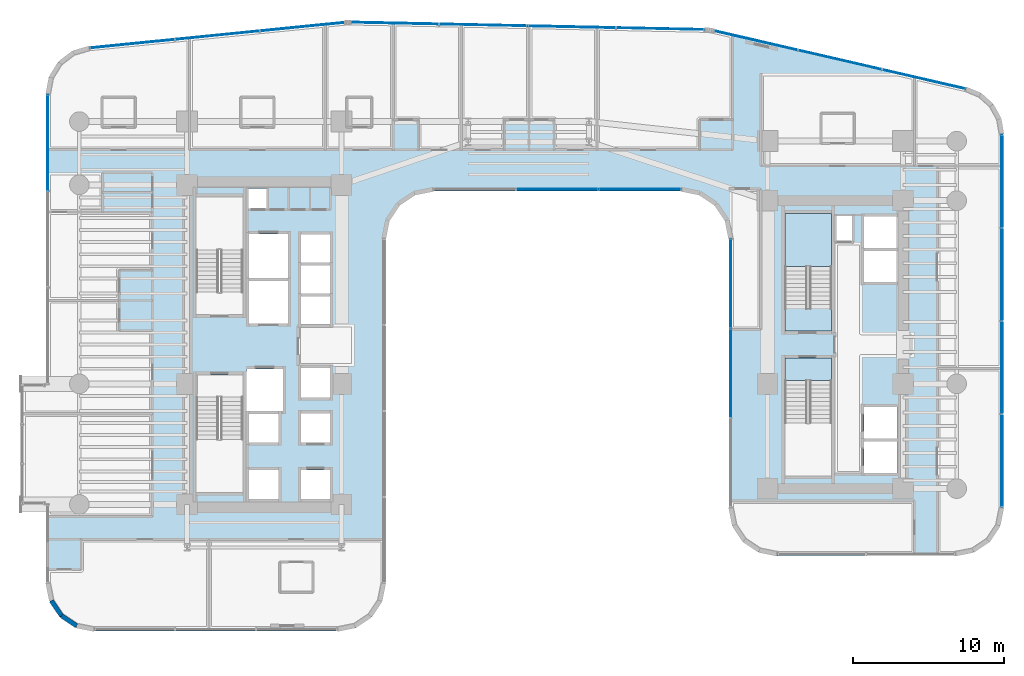
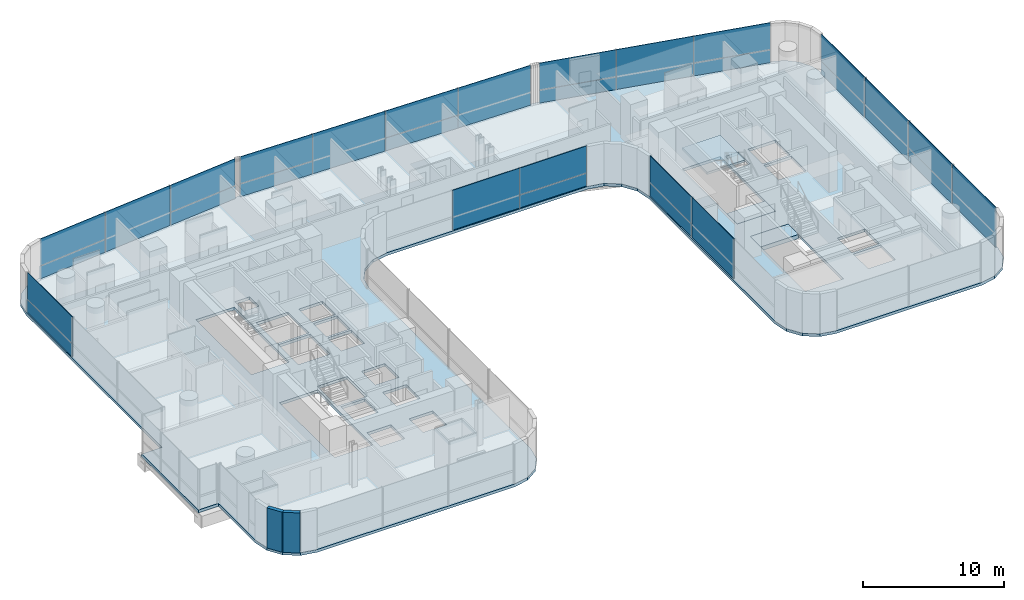
# One storey, part 29 of 40: 30 plates, 4 slabs, 2 walls, 8 elements without a shape of their own.
"""IFC4 building model written with IfcOpenShell, lengths in metres."""

import ifcopenshell
import ifcopenshell.guid

model = None  # the IFC model being written
_history = None  # IfcOwnerHistory: only IFC2X3 demands one
_inside = {}  # id of a spatial element -> (the spatial element, [elements in it])
_under = {}  # id of a project, library or spatial element -> (it, [spatial elements below it])
_declared = {}  # id of a project -> (the project, [libraries it declares])
_typed = {}  # id of a type object -> (the type object, [elements of that type])
_made_of = {}  # id of a material, layer set ... -> (it, [elements and type objects made of it])


def new_model(schema):
    """Start an empty IFC model of exactly this schema.

    Asked for "IFC4X3", IfcOpenShell would pick the latest addendum, in which some entities
    have other attributes; the version numbers below select the first issue.
    IFC2X3 requires an IfcOwnerHistory on every rooted entity: one is made here for all.
    """
    global model, _history
    if schema == "IFC4X3":
        model = ifcopenshell.file(schema_version=(4, 3, 0, 0))
    else:
        model = ifcopenshell.file(schema=schema)
    _inside.clear()
    _under.clear()
    _declared.clear()
    _typed.clear()
    _made_of.clear()
    _history = None
    if model.schema == "IFC2X3":
        org = make("IfcOrganization", Name="unknown")
        user = make(
            "IfcPersonAndOrganization",
            ThePerson=make("IfcPerson", FamilyName="unknown"),
            TheOrganization=org,
        )
        app = make(
            "IfcApplication",
            ApplicationDeveloper=org,
            Version="unknown",
            ApplicationFullName="unknown",
            ApplicationIdentifier="unknown",
        )
        _history = make(
            "IfcOwnerHistory",
            OwningUser=user,
            OwningApplication=app,
            ChangeAction="ADDED",
            CreationDate=0,
        )
    return model


def make(cls, **values):
    """One entity of the class cls with the attributes given. An attribute that is None is left unset."""
    return model.create_entity(
        cls, **{name: value for name, value in values.items() if value is not None}
    )


def rooted(cls, **values):
    """An entity with a GlobalId (a new one), such as an element, a storey or a relation."""
    return make(cls, GlobalId=ifcopenshell.guid.new(), OwnerHistory=_history, **values)


def si_unit(unit_type, name, prefix=None):
    """IfcSIUnit, for example si_unit("LENGTHUNIT", "METRE", prefix="MILLI")."""
    return make("IfcSIUnit", UnitType=unit_type, Prefix=prefix, Name=name)


def assignment(units):
    """IfcUnitAssignment: the units of a project."""
    return None if units is None else make("IfcUnitAssignment", Units=units)


def point(xyz):
    """IfcCartesianPoint."""
    return None if xyz is None else make("IfcCartesianPoint", Coordinates=xyz)


def direction(xyz):
    """IfcDirection."""
    return None if xyz is None else make("IfcDirection", DirectionRatios=xyz)


def frame(location, z_axis=None, x_axis=None):
    """IfcAxis2Placement3D, a coordinate frame: its origin and axes. An axis left out is left unset."""
    return make(
        "IfcAxis2Placement3D",
        Location=point(location),
        Axis=direction(z_axis),
        RefDirection=direction(x_axis),
    )


def frame_2d(location, x_axis=None):
    """IfcAxis2Placement2D, a coordinate frame in the plane: its origin and x axis."""
    return make(
        "IfcAxis2Placement2D", Location=point(location), RefDirection=direction(x_axis)
    )


def origin():
    """The frame at (0, 0, 0) with its axes left unset."""
    return frame((0.0, 0.0, 0.0))


def origin_2d():
    """The frame at (0, 0) in the plane with its x axis left unset."""
    return frame_2d((0.0, 0.0))


def place(relative_to, where):
    """IfcLocalPlacement: puts the frame where relative to a parent placement (None: the world)."""
    return make(
        "IfcLocalPlacement", PlacementRelTo=relative_to, RelativePlacement=where
    )


def context(
    kind, dimensions, precision=None, world=None, true_north=None, identifier=None
):
    """IfcGeometricRepresentationContext, for example the 3D "Model" context."""
    return make(
        "IfcGeometricRepresentationContext",
        ContextIdentifier=identifier,
        ContextType=kind,
        CoordinateSpaceDimension=dimensions,
        Precision=precision,
        WorldCoordinateSystem=world,
        TrueNorth=true_north,
    )


def subcontext(parent, identifier, kind, view, scale=None):
    """IfcGeometricRepresentationSubContext, for example "Body" below "Model"."""
    return make(
        "IfcGeometricRepresentationSubContext",
        ContextIdentifier=identifier,
        ContextType=kind,
        ParentContext=parent,
        TargetScale=scale,
        TargetView=view,
    )


def project(units=None, contexts=None):
    """IfcProject with its units and contexts."""
    return rooted(
        "IfcProject",
        Name="project",
        RepresentationContexts=contexts,
        UnitsInContext=assignment(units),
    )


def spatial(cls, under=None, at=None, **own):
    """A site, building, storey or space (cls), placed at a placement, below another one or the project."""
    s = rooted(cls, ObjectPlacement=at, **own)
    if under is not None:
        _under.setdefault(under.id(), (under, []))[1].append(s)
    return s


def polyline(points):
    """IfcPolyline through the points."""
    return make("IfcPolyline", Points=[point(p) for p in points])


def profile(cls, at=None, kind="AREA", **sizes):
    """A parametric profile (cls). Its sizes go by their IFC names, for example OverallWidth=200.0."""
    return make(cls, ProfileType=kind, Position=at, **sizes)


def rectangle(**sizes):
    """IfcRectangleProfileDef."""
    return profile("IfcRectangleProfileDef", **sizes)


def outline(outer, holes=None, kind="AREA"):
    """IfcArbitraryClosedProfileDef: a profile drawn as a closed curve; with holes, ...WithVoids."""
    if holes is None:
        return make("IfcArbitraryClosedProfileDef", ProfileType=kind, OuterCurve=outer)
    return make(
        "IfcArbitraryProfileDefWithVoids",
        ProfileType=kind,
        OuterCurve=outer,
        InnerCurves=holes,
    )


def extrude(swept, where, along, depth):
    """IfcExtrudedAreaSolid: the profile swept, set in the frame where, extruded along a direction by depth."""
    return make(
        "IfcExtrudedAreaSolid",
        SweptArea=swept,
        Position=where,
        ExtrudedDirection=direction(along),
        Depth=depth,
    )


def shape(context_of_items, identifier, shape_type, items):
    """IfcShapeRepresentation: the items that make up one representation, for example the "Body"."""
    return make(
        "IfcShapeRepresentation",
        ContextOfItems=context_of_items,
        RepresentationIdentifier=identifier,
        RepresentationType=shape_type,
        Items=items,
    )


def source(mapping_origin, context_of_items, identifier, shape_type, items):
    """IfcRepresentationMap: a shape defined once, which mapped items show again and again."""
    return make(
        "IfcRepresentationMap",
        MappingOrigin=mapping_origin,
        MappedRepresentation=shape(context_of_items, identifier, shape_type, items),
    )


def transform(
    local_origin,
    x_axis=None,
    y_axis=None,
    z_axis=None,
    scale=None,
    scale2=None,
    scale3=None,
    uniform=True,
):
    """IfcCartesianTransformationOperator3D, or its non-uniform kind. x_axis, y_axis, z_axis: its Axis1, 2, 3."""
    if uniform:
        return make(
            "IfcCartesianTransformationOperator3D",
            Axis1=direction(x_axis),
            Axis2=direction(y_axis),
            LocalOrigin=point(local_origin),
            Scale=scale,
            Axis3=direction(z_axis),
        )
    return make(
        "IfcCartesianTransformationOperator3DnonUniform",
        Axis1=direction(x_axis),
        Axis2=direction(y_axis),
        LocalOrigin=point(local_origin),
        Scale=scale,
        Axis3=direction(z_axis),
        Scale2=scale2,
        Scale3=scale3,
    )


def mapped(mapping_source, mapping_target):
    """IfcMappedItem: shows the shape of a source again, moved by a transform."""
    return make(
        "IfcMappedItem", MappingSource=mapping_source, MappingTarget=mapping_target
    )


def material(Name=None, Category=None):
    """IfcMaterial."""
    return make("IfcMaterial", Name=Name, Category=Category)


def layer(
    of_material, thickness, ventilated=None, Name=None, Category=None, Priority=None
):
    """IfcMaterialLayer: one layer of a wall or slab, of a material (None: an air gap)."""
    return make(
        "IfcMaterialLayer",
        Material=of_material,
        LayerThickness=thickness,
        IsVentilated=ventilated,
        Name=Name,
        Category=Category,
        Priority=Priority,
    )


def layer_set(layers, Name=None):
    """IfcMaterialLayerSet."""
    return make("IfcMaterialLayerSet", MaterialLayers=layers, LayerSetName=Name)


def made_of(thing, what):
    """Note that an element or type object is made of a material, layer set ...; save() writes the relation."""
    if what is not None:
        _made_of.setdefault(what.id(), (what, []))[1].append(thing)
    return thing


def type_object(cls, material=None, **own):
    """A type object (cls), such as IfcWallType, which elements share."""
    return made_of(rooted(cls, **own), material)


def element(
    cls,
    number,
    at=None,
    inside=None,
    cuts=None,
    type_object=None,
    material=None,
    context=None,
    identifier="Body",
    shape_type=None,
    held_by="IfcProductDefinitionShape",
    body=None,
    shapes=None,
    **own,
):
    """One element of the class cls, such as IfcWall. Its Tag is "e" and its number.

    at: its placement. inside: the storey or other place that contains it. cuts: it is an
    opening in that element (IfcRelVoidsElement). A single representation is given by context,
    identifier, shape_type and body (its items); several are given by shapes. held_by: the class
    of the entity that holds the representations. save() writes the other relations.
    """
    e = rooted(cls, Tag="e%d" % number, ObjectPlacement=at, **own)
    if body is not None:
        shapes = [shape(context, identifier, shape_type, body)]
    if shapes is not None:
        e.Representation = make(held_by, Representations=shapes)
    if inside is not None:
        _inside.setdefault(inside.id(), (inside, []))[1].append(e)
    if cuts is not None:
        rooted(
            "IfcRelVoidsElement", RelatingBuildingElement=cuts, RelatedOpeningElement=e
        )
    if type_object is not None:
        _typed.setdefault(type_object.id(), (type_object, []))[1].append(e)
    return made_of(e, material)


def aggregate(whole, parts):
    """IfcRelAggregates: a whole, such as a stair, and the parts it consists of."""
    return rooted("IfcRelAggregates", RelatingObject=whole, RelatedObjects=parts)


def save(model, path):
    """Write the relations noted so far, then the file.

    IfcRelAggregates (storeys below a building ...), IfcRelContainedInSpatialStructure (elements
    in a storey), IfcRelDefinesByType, IfcRelAssociatesMaterial and IfcRelDeclares: one each for
    every whole, place, type object, material and project.
    """
    for whole, parts in _under.values():
        aggregate(whole, parts)
    for where, things in _inside.values():
        rooted(
            "IfcRelContainedInSpatialStructure",
            RelatedElements=things,
            RelatingStructure=where,
        )
    for kind, things in _typed.values():
        rooted("IfcRelDefinesByType", RelatedObjects=things, RelatingType=kind)
    for what, things in _made_of.values():
        rooted("IfcRelAssociatesMaterial", RelatedObjects=things, RelatingMaterial=what)
    for by, libraries in _declared.values():
        rooted("IfcRelDeclares", RelatingContext=by, RelatedDefinitions=libraries)
    model.write(path)


model = new_model("IFC4")

# Units and contexts
model_context = context("Model", 3, precision=1e-05, world=origin(), true_north=direction((0.0, 1.0)))
body_context = subcontext(model_context, "Body", "Model", "MODEL_VIEW")
ifc_project = project(units=[si_unit("LENGTHUNIT", "METRE"), si_unit("AREAUNIT", "SQUARE_METRE"), si_unit("VOLUMEUNIT", "CUBIC_METRE"), si_unit("PLANEANGLEUNIT", "RADIAN"), si_unit("MASSUNIT", "GRAM", prefix="KILO")], contexts=[model_context])

# Site, building, storey
site_placement = place(None, origin())
site = spatial("IfcSite", under=ifc_project, at=site_placement, CompositionType="ELEMENT")
building_placement = place(site_placement, origin())
building = spatial("IfcBuilding", under=site, at=building_placement, Name="Valdorenza Pilgrim Sanctuary Tower", CompositionType="ELEMENT")
storey_placement = place(building_placement, frame((0.0, 0.0, 92.60009765625)))
storey = spatial("IfcBuildingStorey", under=building, at=storey_placement, Name="L23", CompositionType="ELEMENT", Elevation=92.60009765625)

# Slab
ifc_material_1 = material(Name="Concrete C40/50", Category="concrete")
ifc_layer_1 = layer(ifc_material_1, 0.239990234375, Name="Concrete C40/50")
ifc_layer_set_1 = layer_set([ifc_layer_1], Name="Concrete C40/50")
slab_type_1 = type_object("IfcSlabType", Name="SLAB-FLR-220", PredefinedType="FLOOR", material=ifc_layer_set_1)
slab_1_placement = place(storey_placement, frame((0.0, 0.0, -0.239990234375)))
element("IfcSlab", 1, at=slab_1_placement, inside=storey, type_object=slab_type_1, Name="L23 Structural Floor Slab 1", PredefinedType="FLOOR", context=body_context, shape_type="SweptSolid", body=[
    extrude(outline(polyline([(-33.64990234375, -2.60009765625), (-32.0, -2.60009765625), (-32.0, 16.60400390625), (-31.785888671875, 17.754638671875), (-31.172607421875, 18.751220703125), (-30.241943359375, 19.460693359375), (-29.118408203125, 19.7880859375), (-12.192138671875, 21.480712890625), (-11.999755859375, 21.494140625), (-11.806884765625, 21.49609375), (11.66943359375, 21.0068359375), (11.833984375, 20.999267578125), (11.997802734375, 20.983154296875), (12.160888671875, 20.95849609375), (12.322265625, 20.925537109375), (29.01953125, 17.072509765625), (30.00732421875, 16.660888671875), (30.80419921875, 15.946533203125), (31.321044921875, 15.009521484375), (31.5, 13.954345703125), (31.5, -10.800048828125), (31.25634765625, -12.024658203125), (30.562744140625, -13.062744140625), (29.524658203125, -13.75634765625), (28.300048828125, -14.0), (16.5, -14.0), (15.275390625, -13.75634765625), (14.2373046875, -13.062744140625), (13.543701171875, -12.024658203125), (13.300048828125, -10.800048828125), (13.300048828125, 7.0), (13.056396484375, 8.224609375), (12.36279296875, 9.2626953125), (11.32470703125, 9.956298828125), (10.10009765625, 10.199951171875), (-6.300048828125, 10.199951171875), (-7.524658203125, 9.956298828125), (-8.562744140625, 9.2626953125), (-9.25634765625, 8.224609375), (-9.5, 7.0), (-9.5, -15.800048828125), (-9.74365234375, -17.024658203125), (-10.437255859375, -18.062744140625), (-11.475341796875, -18.75634765625), (-12.699951171875, -19.0), (-28.800048828125, -19.0), (-30.024658203125, -18.75634765625), (-31.062744140625, -18.062744140625), (-31.75634765625, -17.024658203125), (-32.0, -15.800048828125), (-32.0, -10.60009765625), (-33.64990234375, -10.60009765625), (-33.64990234375, -2.60009765625)]), holes=[polyline([(-16.60009765625, -10.25), (-16.60009765625, -8.300048828125), (-18.550048828125, -8.300048828125), (-18.550048828125, -10.25), (-16.60009765625, -10.25)]), polyline([(-22.050048828125, -9.800048828125), (-18.93994140625, -9.800048828125), (-18.93994140625, -3.485107421875), (-18.93994140625, -2.0), (-22.050048828125, -2.0), (-22.050048828125, -3.485107421875), (-22.050048828125, -9.800048828125)]), polyline([(-18.550048828125, -6.5), (-16.60009765625, -6.5), (-16.60009765625, -4.60009765625), (-18.550048828125, -4.60009765625), (-18.550048828125, -6.5)]), polyline([(-13.179931640625, -6.5), (-13.179931640625, -4.550048828125), (-15.10009765625, -4.550048828125), (-15.10009765625, -6.5), (-13.179931640625, -6.5)]), polyline([(-18.719970703125, -4.39990234375), (-16.300048828125, -4.39990234375), (-16.300048828125, -1.60009765625), (-18.719970703125, -1.60009765625), (-18.719970703125, -4.39990234375)]), polyline([(-13.179931640625, -3.5), (-13.179931640625, -1.550048828125), (-15.10009765625, -1.550048828125), (-15.10009765625, -3.5), (-13.179931640625, -3.5)]), polyline([(-22.050048828125, 2.0), (-18.93994140625, 2.0), (-18.93994140625, 3.485107421875), (-18.93994140625, 9.800048828125), (-22.050048828125, 9.800048828125), (-22.050048828125, 3.485107421875), (-22.050048828125, 2.0)]), polyline([(-18.550048828125, 1.39990234375), (-15.949951171875, 1.39990234375), (-15.949951171875, 4.22509765625), (-18.550048828125, 4.22509765625), (-18.550048828125, 1.39990234375)]), polyline([(-15.949951171875, 4.425048828125), (-15.949951171875, 7.35009765625), (-18.550048828125, 7.35009765625), (-18.550048828125, 4.425048828125), (-15.949951171875, 4.425048828125)]), polyline([(-15.10009765625, 5.449951171875), (-13.179931640625, 5.449951171875), (-13.179931640625, 7.300048828125), (-15.10009765625, 7.300048828125), (-15.10009765625, 5.449951171875)]), polyline([(-17.360107421875, 9.030029296875), (-17.360107421875, 10.35009765625), (-18.570068359375, 10.35009765625), (-18.570068359375, 9.030029296875), (-17.360107421875, 9.030029296875)]), polyline([(-15.10009765625, -10.25), (-13.179931640625, -10.25), (-13.179931640625, -8.300048828125), (-15.10009765625, -8.300048828125), (-15.10009765625, -10.25)]), polyline([(22.25, -8.5), (24.47998046875, -8.5), (24.47998046875, -6.425048828125), (22.25, -6.425048828125), (22.25, -8.5)]), polyline([(17.0, -2.385009765625), (17.0, -8.699951171875), (20.110107421875, -8.699951171875), (20.110107421875, -2.385009765625), (20.110107421875, -0.89990234375), (17.0, -0.89990234375), (17.0, -2.385009765625)]), polyline([(22.25, -6.22509765625), (24.47998046875, -6.22509765625), (24.47998046875, -4.14990234375), (22.25, -4.14990234375), (22.25, -6.22509765625)]), polyline([(17.0, 0.89990234375), (20.110107421875, 0.89990234375), (20.110107421875, 2.385009765625), (20.110107421875, 8.699951171875), (17.0, 8.699951171875), (17.0, 2.385009765625), (17.0, 0.89990234375)]), polyline([(-15.10009765625, 1.35009765625), (-13.179931640625, 1.35009765625), (-13.179931640625, 3.199951171875), (-15.10009765625, 3.199951171875), (-15.10009765625, 1.35009765625)]), polyline([(-15.10009765625, 3.39990234375), (-13.179931640625, 3.39990234375), (-13.179931640625, 5.25), (-15.10009765625, 5.25), (-15.10009765625, 3.39990234375)]), polyline([(22.25, 4.14990234375), (24.47998046875, 4.14990234375), (24.47998046875, 6.22509765625), (22.25, 6.22509765625), (22.25, 4.14990234375)]), polyline([(22.25, 6.425048828125), (24.47998046875, 6.425048828125), (24.47998046875, 8.5), (22.25, 8.5), (22.25, 6.425048828125)]), polyline([(20.409912109375, 6.860107421875), (21.489990234375, 6.860107421875), (21.489990234375, 8.52001953125), (20.409912109375, 8.52001953125), (20.409912109375, 6.860107421875)])]), origin(), (0.0, 0.0, 1.0), 0.239990234375),
])

# Stair, slab
stair_type = type_object("IfcStairType", Name="STR-DOG-CORE", PredefinedType="HALF_TURN_STAIR", material=ifc_material_1)
stair_placement = place(storey_placement, origin())
stair = element("IfcStair", 2, at=stair_placement, inside=storey, type_object=stair_type, Name="L23 ST-B1", PredefinedType="HALF_TURN_STAIR")
ifc_layer_2 = layer(ifc_material_1, 0.199951171875, Name="Concrete C40/50")
ifc_layer_set_2 = layer_set([ifc_layer_2], Name="Concrete C40/50")
slab_type_2 = type_object("IfcSlabType", Name="SLAB-STL-200", PredefinedType="LANDING", material=ifc_layer_set_2)
slab_2_placement = place(storey_placement, frame((0.0, 0.0, 1.64990234375)))
slab_2 = element("IfcSlab", 3, at=slab_2_placement, type_object=slab_type_2, Name="ST-B1 landing 1", PredefinedType="LANDING", context=body_context, shape_type="SweptSolid", body=[
    extrude(outline(polyline([(20.110107421875, 5.179931640625), (20.110107421875, 8.699951171875), (17.0, 8.699951171875), (17.0, 5.179931640625), (20.110107421875, 5.179931640625)])), origin(), (0.0, 0.0, 1.0), 0.199951171875),
])
aggregate(stair, [slab_2])

# Slabs
ifc_material_2 = material(Name="Concrete C50/60", Category="concrete")
ifc_layer_3 = layer(ifc_material_2, 0.39990234375, Name="Concrete C50/60")
ifc_layer_set_3 = layer_set([ifc_layer_3], Name="Concrete C50/60")
slab_type_3 = type_object("IfcSlabType", Name="SLAB-TRF-400", PredefinedType="FLOOR", material=ifc_layer_set_3)
slab_3_placement = place(storey_placement, frame((0.0, 0.0, -0.360107421875)))
element("IfcSlab", 4, at=slab_3_placement, inside=storey, type_object=slab_type_3, Name="L23 ST-B1 Structural Stair Landing Bearing Slab", PredefinedType="FLOOR", context=body_context, shape_type="SweptSolid", body=[
    extrude(outline(polyline([(17.0, 0.89990234375), (20.110107421875, 0.89990234375), (20.110107421875, 2.385009765625), (17.0, 2.385009765625), (17.0, 0.89990234375)])), origin(), (0.0, 0.0, 1.0), 0.360107421875),
])
slab_4_placement = place(storey_placement, frame((0.0, 0.0, -0.360107421875)))
element("IfcSlab", 5, at=slab_4_placement, inside=storey, type_object=slab_type_3, Name="L23 ST-B2 Structural Stair Landing Bearing Slab", PredefinedType="FLOOR", context=body_context, shape_type="SweptSolid", body=[
    extrude(outline(polyline([(17.0, -2.385009765625), (20.110107421875, -2.385009765625), (20.110107421875, -0.89990234375), (17.0, -0.89990234375), (17.0, -2.385009765625)])), origin(), (0.0, 0.0, 1.0), 0.360107421875),
])

# Curtain wall, plates
ifc_material_3 = material(Name="Curtain-wall IGU glazing", Category="glass")
curtain_wall_type_1 = type_object("IfcCurtainWallType", Name="CW-SYS-02", PredefinedType="NOTDEFINED", material=ifc_material_3)
curtain_wall_1_placement = place(storey_placement, origin())
curtain_wall_1 = element("IfcCurtainWall", 6, at=curtain_wall_1_placement, inside=storey, type_object=curtain_wall_type_1, Name="L23 Curtain Wall CW-L23-1-1S2", PredefinedType="NOTDEFINED")
ifc_material_4 = material(Name="Honed travertine limestone", Category="masonry")
ifc_layer_4 = layer(ifc_material_4, 0.050048828125, Name="Honed travertine limestone")
ifc_layer_set_4 = layer_set([ifc_layer_4], Name="Honed travertine limestone")
plate_type_1 = type_object("IfcPlateType", Name="CW-SPN-TRV", PredefinedType="USERDEFINED", material=ifc_layer_set_4)
shared_shape_1 = source(origin(), body_context, "Body", "SweptSolid", [
    extrude(rectangle(XDim=6.3779296875, YDim=0.06005859375, at=origin_2d()), origin(), (0.0, 0.0, 1.0), 1.10009765625),
])
plate_1_placement = place(storey_placement, frame((-31.889892578125, 13.39501953125, 0.009765625), z_axis=(0.0, 0.0, 1.0), x_axis=(0.0, 1.0, 0.0)))
plate_1 = element("IfcPlate", 7, at=plate_1_placement, type_object=plate_type_1, Name="CW-L23-1-1S2 Travertine Spandrel 3", ObjectType="SPANDREL", PredefinedType="USERDEFINED", context=body_context, shape_type="MappedRepresentation", body=[
    mapped(shared_shape_1, transform((0.0, 0.0, 0.0), x_axis=(1.0, 0.0, 0.0), y_axis=(0.0, 1.0, 0.0), z_axis=(0.0, 0.0, 1.0), scale=1.0)),
])
ifc_material_5 = material(Name="Ceramic-fritted low-E IGU glazing", Category="glass")
ifc_layer_5 = layer(ifc_material_5, 0.035888671875, Name="Ceramic-fritted low-E IGU glazing")
ifc_layer_set_5 = layer_set([ifc_layer_5], Name="Ceramic-fritted low-E IGU glazing")
plate_type_2 = type_object("IfcPlateType", Name="CW-GLZ-IGU", PredefinedType="USERDEFINED", material=ifc_layer_set_5)
shared_shape_2 = source(origin(), body_context, "Body", "SweptSolid", [
    extrude(rectangle(XDim=6.3779296875, YDim=0.050048828125, at=origin_2d()), origin(), (0.0, 0.0, 1.0), 2.320068359375),
])
plate_2_placement = place(storey_placement, frame((-31.889892578125, 13.39501953125, 1.1298828125), z_axis=(0.0, 0.0, 1.0), x_axis=(0.0, 1.0, 0.0)))
plate_2 = element("IfcPlate", 8, at=plate_2_placement, type_object=plate_type_2, Name="CW-L23-1-1S2 Facade Panel 3", ObjectType="GLAZING", PredefinedType="USERDEFINED", context=body_context, shape_type="MappedRepresentation", body=[
    mapped(shared_shape_2, transform((0.0, 0.0, 0.0), x_axis=(1.0, 0.0, 0.0), y_axis=(0.0, 1.0, 0.0), z_axis=(0.0, 0.0, 1.0), scale=1.0)),
])
aggregate(curtain_wall_1, [plate_1, plate_2])

curtain_wall_2_placement = place(storey_placement, origin())
curtain_wall_2 = element("IfcCurtainWall", 9, at=curtain_wall_2_placement, inside=storey, type_object=curtain_wall_type_1, Name="L23 Curtain Wall CW-L23-1-6", PredefinedType="NOTDEFINED")
shared_shape_3 = source(origin(), body_context, "Body", "SweptSolid", [
    extrude(rectangle(XDim=5.646484375, YDim=0.06005859375, at=origin_2d()), origin(), (0.0, 0.0, 1.0), 1.10009765625),
])
plate_3_placement = place(storey_placement, frame((-26.2783203125, 19.961669921875, 0.009765625), z_axis=(0.0, 0.0, 1.0), x_axis=(0.995038220239, 0.099493418189, 0.0)))
plate_3 = element("IfcPlate", 10, at=plate_3_placement, type_object=plate_type_1, Name="CW-L23-1-6 Travertine Spandrel 1", ObjectType="SPANDREL", PredefinedType="USERDEFINED", context=body_context, shape_type="MappedRepresentation", body=[
    mapped(shared_shape_3, transform((0.0, 0.0, 0.0), x_axis=(1.0, 0.0, 0.0), y_axis=(0.0, 1.0, 0.0), z_axis=(0.0, 0.0, 1.0), scale=1.0)),
])
plate_4_placement = place(storey_placement, frame((-15.001220703125, 21.08935546875, 0.009765625), z_axis=(0.0, 0.0, 1.0), x_axis=(0.995038220239, 0.099493418189, 0.0)))
plate_4 = element("IfcPlate", 11, at=plate_4_placement, type_object=plate_type_1, Name="CW-L23-1-6 Travertine Spandrel 3", ObjectType="SPANDREL", PredefinedType="USERDEFINED", context=body_context, shape_type="MappedRepresentation", body=[
    mapped(shared_shape_3, transform((0.0, 0.0, 0.0), x_axis=(1.0, 0.0, 0.0), y_axis=(0.0, 1.0, 0.0), z_axis=(0.0, 0.0, 1.0), scale=1.0)),
])
shared_shape_4 = source(origin(), body_context, "Body", "SweptSolid", [
    extrude(rectangle(XDim=5.646484375, YDim=0.050048828125, at=origin_2d()), origin(), (0.0, 0.0, 1.0), 2.320068359375),
])
plate_5_placement = place(storey_placement, frame((-26.2783203125, 19.961669921875, 1.1298828125), z_axis=(0.0, 0.0, 1.0), x_axis=(0.995038220239, 0.099493418189, 0.0)))
plate_5 = element("IfcPlate", 12, at=plate_5_placement, type_object=plate_type_2, Name="CW-L23-1-6 Facade Panel 1", ObjectType="GLAZING", PredefinedType="USERDEFINED", context=body_context, shape_type="MappedRepresentation", body=[
    mapped(shared_shape_4, transform((0.0, 0.0, 0.0), x_axis=(1.0, 0.0, 0.0), y_axis=(0.0, 1.0, 0.0), z_axis=(0.0, 0.0, 1.0), scale=1.0)),
])
plate_6_placement = place(storey_placement, frame((-15.001220703125, 21.08935546875, 1.1298828125), z_axis=(0.0, 0.0, 1.0), x_axis=(0.995038220239, 0.099493418189, 0.0)))
plate_6 = element("IfcPlate", 13, at=plate_6_placement, type_object=plate_type_2, Name="CW-L23-1-6 Facade Panel 3", ObjectType="GLAZING", PredefinedType="USERDEFINED", context=body_context, shape_type="MappedRepresentation", body=[
    mapped(shared_shape_4, transform((0.0, 0.0, 0.0), x_axis=(1.0, 0.0, 0.0), y_axis=(0.0, 1.0, 0.0), z_axis=(0.0, 0.0, 1.0), scale=1.0)),
])
shared_shape_5 = source(origin(), body_context, "Body", "SweptSolid", [
    extrude(rectangle(XDim=5.646484375, YDim=0.050048828125, at=origin_2d()), origin(), (0.0, 0.0, 1.0), 3.43994140625),
])
plate_7_placement = place(storey_placement, frame((-20.6396484375, 20.525634765625, 0.010009765625), z_axis=(0.0, 0.0, 1.0), x_axis=(0.995038220239, 0.099493418189, 0.0)))
plate_7 = element("IfcPlate", 14, at=plate_7_placement, type_object=plate_type_2, Name="CW-L23-1-6 Full-Height Facade Panel 2", ObjectType="GLAZING", PredefinedType="USERDEFINED", context=body_context, shape_type="MappedRepresentation", body=[
    mapped(shared_shape_5, transform((0.0, 0.0, 0.0), x_axis=(1.0, 0.0, 0.0), y_axis=(0.0, 1.0, 0.0), z_axis=(0.0, 0.0, 1.0), scale=1.0)),
])
aggregate(curtain_wall_2, [plate_3, plate_5, plate_7, plate_4, plate_6])

curtain_wall_3_placement = place(storey_placement, origin())
curtain_wall_3 = element("IfcCurtainWall", 15, at=curtain_wall_3_placement, inside=storey, type_object=curtain_wall_type_1, Name="L23 Curtain Wall CW-L23-1-11", PredefinedType="NOTDEFINED")
shared_shape_6 = source(origin(), body_context, "Body", "SweptSolid", [
    extrude(rectangle(XDim=5.849853515625, YDim=0.06005859375, at=origin_2d()), origin(), (0.0, 0.0, 1.0), 1.10009765625),
])
plate_8_placement = place(storey_placement, frame((-8.8740234375, 21.324951171875, 0.009765625), z_axis=(0.0, 0.0, 1.0), x_axis=(0.999783234613, -0.020820273474, 0.0)))
plate_8 = element("IfcPlate", 16, at=plate_8_placement, type_object=plate_type_1, Name="CW-L23-1-11 Travertine Spandrel 1", ObjectType="SPANDREL", PredefinedType="USERDEFINED", context=body_context, shape_type="MappedRepresentation", body=[
    mapped(shared_shape_6, transform((0.0, 0.0, 0.0), x_axis=(1.0, 0.0, 0.0), y_axis=(0.0, 1.0, 0.0), z_axis=(0.0, 0.0, 1.0), scale=1.0)),
])
plate_9_placement = place(storey_placement, frame((2.86279296875, 21.080322265625, 0.009765625), z_axis=(0.0, 0.0, 1.0), x_axis=(0.999783234613, -0.020820273474, 0.0)))
plate_9 = element("IfcPlate", 17, at=plate_9_placement, type_object=plate_type_1, Name="CW-L23-1-11 Travertine Spandrel 3", ObjectType="SPANDREL", PredefinedType="USERDEFINED", context=body_context, shape_type="MappedRepresentation", body=[
    mapped(shared_shape_6, transform((0.0, 0.0, 0.0), x_axis=(1.0, 0.0, 0.0), y_axis=(0.0, 1.0, 0.0), z_axis=(0.0, 0.0, 1.0), scale=1.0)),
])
shared_shape_7 = source(origin(), body_context, "Body", "SweptSolid", [
    extrude(rectangle(XDim=5.849853515625, YDim=0.050048828125, at=origin_2d()), origin(), (0.0, 0.0, 1.0), 2.320068359375),
])
plate_10_placement = place(storey_placement, frame((-8.8740234375, 21.324951171875, 1.1298828125), z_axis=(0.0, 0.0, 1.0), x_axis=(0.999783234613, -0.020820273474, 0.0)))
plate_10 = element("IfcPlate", 18, at=plate_10_placement, type_object=plate_type_2, Name="CW-L23-1-11 Facade Panel 1", ObjectType="GLAZING", PredefinedType="USERDEFINED", context=body_context, shape_type="MappedRepresentation", body=[
    mapped(shared_shape_7, transform((0.0, 0.0, 0.0), x_axis=(1.0, 0.0, 0.0), y_axis=(0.0, 1.0, 0.0), z_axis=(0.0, 0.0, 1.0), scale=1.0)),
])
plate_11_placement = place(storey_placement, frame((2.86279296875, 21.080322265625, 1.1298828125), z_axis=(0.0, 0.0, 1.0), x_axis=(0.999783234613, -0.020820273474, 0.0)))
plate_11 = element("IfcPlate", 19, at=plate_11_placement, type_object=plate_type_2, Name="CW-L23-1-11 Facade Panel 3", ObjectType="GLAZING", PredefinedType="USERDEFINED", context=body_context, shape_type="MappedRepresentation", body=[
    mapped(shared_shape_7, transform((0.0, 0.0, 0.0), x_axis=(1.0, 0.0, 0.0), y_axis=(0.0, 1.0, 0.0), z_axis=(0.0, 0.0, 1.0), scale=1.0)),
])
shared_shape_8 = source(origin(), body_context, "Body", "SweptSolid", [
    extrude(rectangle(XDim=5.849853515625, YDim=0.050048828125, at=origin_2d()), origin(), (0.0, 0.0, 1.0), 3.43994140625),
])
plate_12_placement = place(storey_placement, frame((-3.005615234375, 21.20263671875, 0.010009765625), z_axis=(0.0, 0.0, 1.0), x_axis=(0.999783234613, -0.020820273474, 0.0)))
plate_12 = element("IfcPlate", 20, at=plate_12_placement, type_object=plate_type_2, Name="CW-L23-1-11 Full-Height Facade Panel 2", ObjectType="GLAZING", PredefinedType="USERDEFINED", context=body_context, shape_type="MappedRepresentation", body=[
    mapped(shared_shape_8, transform((0.0, 0.0, 0.0), x_axis=(1.0, 0.0, 0.0), y_axis=(0.0, 1.0, 0.0), z_axis=(0.0, 0.0, 1.0), scale=1.0)),
])
plate_13_placement = place(storey_placement, frame((8.7314453125, 20.9580078125, 0.010009765625), z_axis=(0.0, 0.0, 1.0), x_axis=(0.999783234613, -0.020820273474, 0.0)))
plate_13 = element("IfcPlate", 21, at=plate_13_placement, type_object=plate_type_2, Name="CW-L23-1-11 Full-Height Facade Panel 4", ObjectType="GLAZING", PredefinedType="USERDEFINED", context=body_context, shape_type="MappedRepresentation", body=[
    mapped(shared_shape_8, transform((0.0, 0.0, 0.0), x_axis=(1.0, 0.0, 0.0), y_axis=(0.0, 1.0, 0.0), z_axis=(0.0, 0.0, 1.0), scale=1.0)),
])
aggregate(curtain_wall_3, [plate_8, plate_10, plate_12, plate_9, plate_11, plate_13])

curtain_wall_type_2 = type_object("IfcCurtainWallType", Name="CW-SYS-03", PredefinedType="NOTDEFINED", material=ifc_material_3)
curtain_wall_4_placement = place(storey_placement, origin())
curtain_wall_4 = element("IfcCurtainWall", 22, at=curtain_wall_4_placement, inside=storey, type_object=curtain_wall_type_2, Name="L23 Curtain Wall CW-L23-1-16", PredefinedType="NOTDEFINED")
shared_shape_9 = source(origin(), body_context, "Body", "SweptSolid", [
    extrude(rectangle(XDim=5.6884765625, YDim=0.06005859375, at=origin_2d()), origin(), (0.0, 0.0, 1.0), 1.10009765625),
])
plate_14_placement = place(storey_placement, frame((15.080078125, 20.17626953125, 0.009765625), z_axis=(0.0, 0.0, 1.0), x_axis=(0.974389691758, -0.224866023659, 0.0)))
plate_14 = element("IfcPlate", 23, at=plate_14_placement, type_object=plate_type_1, Name="CW-L23-1-16 Travertine Spandrel 1", ObjectType="SPANDREL", PredefinedType="USERDEFINED", context=body_context, shape_type="MappedRepresentation", body=[
    mapped(shared_shape_9, transform((0.0, 0.0, 0.0), x_axis=(1.0, 0.0, 0.0), y_axis=(0.0, 1.0, 0.0), z_axis=(0.0, 0.0, 1.0), scale=1.0)),
])
plate_15_placement = place(storey_placement, frame((26.20458984375, 17.609130859375, 0.009765625), z_axis=(0.0, 0.0, 1.0), x_axis=(0.974389691758, -0.224866023659, 0.0)))
plate_15 = element("IfcPlate", 24, at=plate_15_placement, type_object=plate_type_1, Name="CW-L23-1-16 Travertine Spandrel 3", ObjectType="SPANDREL", PredefinedType="USERDEFINED", context=body_context, shape_type="MappedRepresentation", body=[
    mapped(shared_shape_9, transform((0.0, 0.0, 0.0), x_axis=(1.0, 0.0, 0.0), y_axis=(0.0, 1.0, 0.0), z_axis=(0.0, 0.0, 1.0), scale=1.0)),
])
shared_shape_10 = source(origin(), body_context, "Body", "SweptSolid", [
    extrude(rectangle(XDim=5.6884765625, YDim=0.050048828125, at=origin_2d()), origin(), (0.0, 0.0, 1.0), 2.320068359375),
])
plate_16_placement = place(storey_placement, frame((15.080078125, 20.17626953125, 1.1298828125), z_axis=(0.0, 0.0, 1.0), x_axis=(0.974389691758, -0.224866023659, 0.0)))
plate_16 = element("IfcPlate", 25, at=plate_16_placement, type_object=plate_type_2, Name="CW-L23-1-16 Facade Panel 1", ObjectType="GLAZING", PredefinedType="USERDEFINED", context=body_context, shape_type="MappedRepresentation", body=[
    mapped(shared_shape_10, transform((0.0, 0.0, 0.0), x_axis=(1.0, 0.0, 0.0), y_axis=(0.0, 1.0, 0.0), z_axis=(0.0, 0.0, 1.0), scale=1.0)),
])
plate_17_placement = place(storey_placement, frame((26.20458984375, 17.609130859375, 1.1298828125), z_axis=(0.0, 0.0, 1.0), x_axis=(0.974389691758, -0.224866023659, 0.0)))
plate_17 = element("IfcPlate", 26, at=plate_17_placement, type_object=plate_type_2, Name="CW-L23-1-16 Facade Panel 3", ObjectType="GLAZING", PredefinedType="USERDEFINED", context=body_context, shape_type="MappedRepresentation", body=[
    mapped(shared_shape_10, transform((0.0, 0.0, 0.0), x_axis=(1.0, 0.0, 0.0), y_axis=(0.0, 1.0, 0.0), z_axis=(0.0, 0.0, 1.0), scale=1.0)),
])
shared_shape_11 = source(origin(), body_context, "Body", "SweptSolid", [
    extrude(rectangle(XDim=5.6884765625, YDim=0.050048828125, at=origin_2d()), origin(), (0.0, 0.0, 1.0), 3.43994140625),
])
plate_18_placement = place(storey_placement, frame((20.642333984375, 18.892578125, 0.010009765625), z_axis=(0.0, 0.0, 1.0), x_axis=(0.974389691758, -0.224866023659, 0.0)))
plate_18 = element("IfcPlate", 27, at=plate_18_placement, type_object=plate_type_2, Name="CW-L23-1-16 Full-Height Facade Panel 2", ObjectType="GLAZING", PredefinedType="USERDEFINED", context=body_context, shape_type="MappedRepresentation", body=[
    mapped(shared_shape_11, transform((0.0, 0.0, 0.0), x_axis=(1.0, 0.0, 0.0), y_axis=(0.0, 1.0, 0.0), z_axis=(0.0, 0.0, 1.0), scale=1.0)),
])
aggregate(curtain_wall_4, [plate_14, plate_16, plate_18, plate_15, plate_17])

curtain_wall_5_placement = place(storey_placement, origin())
curtain_wall_5 = element("IfcCurtainWall", 28, at=curtain_wall_5_placement, inside=storey, type_object=curtain_wall_type_2, Name="L23 Curtain Wall CW-L23-1-21", PredefinedType="NOTDEFINED")
shared_shape_12 = source(origin(), body_context, "Body", "SweptSolid", [
    extrude(rectangle(XDim=6.16357421875, YDim=0.06005859375, at=origin_2d()), origin(), (0.0, 0.0, 1.0), 1.10009765625),
])
plate_19_placement = place(storey_placement, frame((31.389892578125, 10.853271484375, 0.009765625), z_axis=(0.0, 0.0, 1.0), x_axis=(0.0, -1.0, 0.0)))
plate_19 = element("IfcPlate", 29, at=plate_19_placement, type_object=plate_type_1, Name="CW-L23-1-21 Travertine Spandrel 1", ObjectType="SPANDREL", PredefinedType="USERDEFINED", context=body_context, shape_type="MappedRepresentation", body=[
    mapped(shared_shape_12, transform((0.0, 0.0, 0.0), x_axis=(1.0, 0.0, 0.0), y_axis=(0.0, 1.0, 0.0), z_axis=(0.0, 0.0, 1.0), scale=1.0)),
])
plate_20_placement = place(storey_placement, frame((31.389892578125, -1.513916015625, 0.009765625), z_axis=(0.0, 0.0, 1.0), x_axis=(0.0, -1.0, 0.0)))
plate_20 = element("IfcPlate", 30, at=plate_20_placement, type_object=plate_type_1, Name="CW-L23-1-21 Travertine Spandrel 3", ObjectType="SPANDREL", PredefinedType="USERDEFINED", context=body_context, shape_type="MappedRepresentation", body=[
    mapped(shared_shape_12, transform((0.0, 0.0, 0.0), x_axis=(1.0, 0.0, 0.0), y_axis=(0.0, 1.0, 0.0), z_axis=(0.0, 0.0, 1.0), scale=1.0)),
])
shared_shape_13 = source(origin(), body_context, "Body", "SweptSolid", [
    extrude(rectangle(XDim=6.16357421875, YDim=0.050048828125, at=origin_2d()), origin(), (0.0, 0.0, 1.0), 2.320068359375),
])
plate_21_placement = place(storey_placement, frame((31.389892578125, 10.853271484375, 1.1298828125), z_axis=(0.0, 0.0, 1.0), x_axis=(0.0, -1.0, 0.0)))
plate_21 = element("IfcPlate", 31, at=plate_21_placement, type_object=plate_type_2, Name="CW-L23-1-21 Facade Panel 1", ObjectType="GLAZING", PredefinedType="USERDEFINED", context=body_context, shape_type="MappedRepresentation", body=[
    mapped(shared_shape_13, transform((0.0, 0.0, 0.0), x_axis=(1.0, 0.0, 0.0), y_axis=(0.0, 1.0, 0.0), z_axis=(0.0, 0.0, 1.0), scale=1.0)),
])
plate_22_placement = place(storey_placement, frame((31.389892578125, -1.513916015625, 1.1298828125), z_axis=(0.0, 0.0, 1.0), x_axis=(0.0, -1.0, 0.0)))
plate_22 = element("IfcPlate", 32, at=plate_22_placement, type_object=plate_type_2, Name="CW-L23-1-21 Facade Panel 3", ObjectType="GLAZING", PredefinedType="USERDEFINED", context=body_context, shape_type="MappedRepresentation", body=[
    mapped(shared_shape_13, transform((0.0, 0.0, 0.0), x_axis=(1.0, 0.0, 0.0), y_axis=(0.0, 1.0, 0.0), z_axis=(0.0, 0.0, 1.0), scale=1.0)),
])
shared_shape_14 = source(origin(), body_context, "Body", "SweptSolid", [
    extrude(rectangle(XDim=6.16357421875, YDim=0.050048828125, at=origin_2d()), origin(), (0.0, 0.0, 1.0), 3.43994140625),
])
plate_23_placement = place(storey_placement, frame((31.389892578125, 4.669677734375, 0.010009765625), z_axis=(0.0, 0.0, 1.0), x_axis=(0.0, -1.0, 0.0)))
plate_23 = element("IfcPlate", 33, at=plate_23_placement, type_object=plate_type_2, Name="CW-L23-1-21 Full-Height Facade Panel 2", ObjectType="GLAZING", PredefinedType="USERDEFINED", context=body_context, shape_type="MappedRepresentation", body=[
    mapped(shared_shape_14, transform((0.0, 0.0, 0.0), x_axis=(1.0, 0.0, 0.0), y_axis=(0.0, 1.0, 0.0), z_axis=(0.0, 0.0, 1.0), scale=1.0)),
])
plate_24_placement = place(storey_placement, frame((31.389892578125, -7.697509765625, 0.010009765625), z_axis=(0.0, 0.0, 1.0), x_axis=(0.0, -1.0, 0.0)))
plate_24 = element("IfcPlate", 34, at=plate_24_placement, type_object=plate_type_2, Name="CW-L23-1-21 Full-Height Facade Panel 4", ObjectType="GLAZING", PredefinedType="USERDEFINED", context=body_context, shape_type="MappedRepresentation", body=[
    mapped(shared_shape_14, transform((0.0, 0.0, 0.0), x_axis=(1.0, 0.0, 0.0), y_axis=(0.0, 1.0, 0.0), z_axis=(0.0, 0.0, 1.0), scale=1.0)),
])
aggregate(curtain_wall_5, [plate_19, plate_21, plate_23, plate_20, plate_22, plate_24])

curtain_wall_6_placement = place(storey_placement, origin())
curtain_wall_6 = element("IfcCurtainWall", 35, at=curtain_wall_6_placement, inside=storey, type_object=curtain_wall_type_2, Name="L23 Curtain Wall CW-L23-1-31", PredefinedType="NOTDEFINED")
shared_shape_15 = source(origin(), body_context, "Body", "SweptSolid", [
    extrude(rectangle(XDim=5.913330078125, YDim=0.06005859375, at=origin_2d()), origin(), (0.0, 0.0, 1.0), 1.10009765625),
])
plate_25_placement = place(storey_placement, frame((13.409912109375, 4.044189453125, 0.009765625), z_axis=(0.0, 0.0, 1.0), x_axis=(0.0, 1.0, 0.0)))
plate_25 = element("IfcPlate", 36, at=plate_25_placement, type_object=plate_type_1, Name="CW-L23-1-31 Travertine Spandrel 3", ObjectType="SPANDREL", PredefinedType="USERDEFINED", context=body_context, shape_type="MappedRepresentation", body=[
    mapped(shared_shape_15, transform((0.0, 0.0, 0.0), x_axis=(1.0, 0.0, 0.0), y_axis=(0.0, 1.0, 0.0), z_axis=(0.0, 0.0, 1.0), scale=1.0)),
])
shared_shape_16 = source(origin(), body_context, "Body", "SweptSolid", [
    extrude(rectangle(XDim=5.913330078125, YDim=0.050048828125, at=origin_2d()), origin(), (0.0, 0.0, 1.0), 2.320068359375),
])
plate_26_placement = place(storey_placement, frame((13.409912109375, 4.044189453125, 1.1298828125), z_axis=(0.0, 0.0, 1.0), x_axis=(0.0, 1.0, 0.0)))
plate_26 = element("IfcPlate", 37, at=plate_26_placement, type_object=plate_type_2, Name="CW-L23-1-31 Facade Panel 3", ObjectType="GLAZING", PredefinedType="USERDEFINED", context=body_context, shape_type="MappedRepresentation", body=[
    mapped(shared_shape_16, transform((0.0, 0.0, 0.0), x_axis=(1.0, 0.0, 0.0), y_axis=(0.0, 1.0, 0.0), z_axis=(0.0, 0.0, 1.0), scale=1.0)),
])
shared_shape_17 = source(origin(), body_context, "Body", "SweptSolid", [
    extrude(rectangle(XDim=5.913330078125, YDim=0.050048828125, at=origin_2d()), origin(), (0.0, 0.0, 1.0), 3.43994140625),
])
plate_27_placement = place(storey_placement, frame((13.409912109375, -1.88916015625, 0.010009765625), z_axis=(0.0, 0.0, 1.0), x_axis=(0.0, 1.0, 0.0)))
plate_27 = element("IfcPlate", 38, at=plate_27_placement, type_object=plate_type_2, Name="CW-L23-1-31 Full-Height Facade Panel 2", ObjectType="GLAZING", PredefinedType="USERDEFINED", context=body_context, shape_type="MappedRepresentation", body=[
    mapped(shared_shape_17, transform((0.0, 0.0, 0.0), x_axis=(1.0, 0.0, 0.0), y_axis=(0.0, 1.0, 0.0), z_axis=(0.0, 0.0, 1.0), scale=1.0)),
])
aggregate(curtain_wall_6, [plate_27, plate_25, plate_26])

curtain_wall_7_placement = place(storey_placement, origin())
curtain_wall_7 = element("IfcCurtainWall", 39, at=curtain_wall_7_placement, inside=storey, type_object=curtain_wall_type_1, Name="L23 Curtain Wall CW-L23-1-36", PredefinedType="NOTDEFINED")
shared_shape_18 = source(origin(), body_context, "Body", "SweptSolid", [
    extrude(rectangle(XDim=5.453857421875, YDim=0.06005859375, at=origin_2d()), origin(), (0.0, 0.0, 1.0), 1.10009765625),
])
plate_28_placement = place(storey_placement, frame((7.373779296875, 10.31005859375, 0.009765625), z_axis=(0.0, 0.0, 1.0), x_axis=(-1.0, 0.0, 0.0)))
plate_28 = element("IfcPlate", 40, at=plate_28_placement, type_object=plate_type_1, Name="CW-L23-1-36 Travertine Spandrel 1", ObjectType="SPANDREL", PredefinedType="USERDEFINED", context=body_context, shape_type="MappedRepresentation", body=[
    mapped(shared_shape_18, transform((0.0, 0.0, 0.0), x_axis=(1.0, 0.0, 0.0), y_axis=(0.0, 1.0, 0.0), z_axis=(0.0, 0.0, 1.0), scale=1.0)),
])
shared_shape_19 = source(origin(), body_context, "Body", "SweptSolid", [
    extrude(rectangle(XDim=5.453857421875, YDim=0.050048828125, at=origin_2d()), origin(), (0.0, 0.0, 1.0), 2.320068359375),
])
plate_29_placement = place(storey_placement, frame((7.373779296875, 10.31005859375, 1.1298828125), z_axis=(0.0, 0.0, 1.0), x_axis=(-1.0, 0.0, 0.0)))
plate_29 = element("IfcPlate", 41, at=plate_29_placement, type_object=plate_type_2, Name="CW-L23-1-36 Facade Panel 1", ObjectType="GLAZING", PredefinedType="USERDEFINED", context=body_context, shape_type="MappedRepresentation", body=[
    mapped(shared_shape_19, transform((0.0, 0.0, 0.0), x_axis=(1.0, 0.0, 0.0), y_axis=(0.0, 1.0, 0.0), z_axis=(0.0, 0.0, 1.0), scale=1.0)),
])
shared_shape_20 = source(origin(), body_context, "Body", "SweptSolid", [
    extrude(rectangle(XDim=5.453857421875, YDim=0.050048828125, at=origin_2d()), origin(), (0.0, 0.0, 1.0), 3.43994140625),
])
plate_30_placement = place(storey_placement, frame((1.89990234375, 10.31005859375, 0.010009765625), z_axis=(0.0, 0.0, 1.0), x_axis=(-1.0, 0.0, 0.0)))
plate_30 = element("IfcPlate", 42, at=plate_30_placement, type_object=plate_type_2, Name="CW-L23-1-36 Full-Height Facade Panel 2", ObjectType="GLAZING", PredefinedType="USERDEFINED", context=body_context, shape_type="MappedRepresentation", body=[
    mapped(shared_shape_20, transform((0.0, 0.0, 0.0), x_axis=(1.0, 0.0, 0.0), y_axis=(0.0, 1.0, 0.0), z_axis=(0.0, 0.0, 1.0), scale=1.0)),
])
aggregate(curtain_wall_7, [plate_28, plate_29, plate_30])

# Walls
ifc_layer_6 = layer(ifc_material_4, 0.300048828125, Name="Honed travertine limestone")
ifc_layer_set_6 = layer_set([ifc_layer_6], Name="Honed travertine limestone")
wall_type = type_object("IfcWallType", Name="WAL-EXT-300", PredefinedType="SOLIDWALL", material=ifc_layer_set_6)
for number, where, z_axis, x_axis, name in (
    (43, (-29.981689453125, -18.65283203125, 0.0), (0.0, 0.0, 1.0), (-0.831426265255, 0.555635100982, 0.0), "L23 Rounded Wind-Corner Stone Pier 48"),
    (44, (-30.9833984375, -17.9833984375, 0.0), (0.0, 0.0, 1.0), (-0.555635100982, 0.831426265255, 0.0), "L23 Rounded Wind-Corner Stone Pier 49"),
):
    element("IfcWall", number, at=place(storey_placement, frame(where, z_axis=z_axis, x_axis=x_axis)), inside=storey, type_object=wall_type, Name=name, PredefinedType="SOLIDWALL", context=body_context, shape_type="SweptSolid", body=[
        extrude(rectangle(XDim=1.204833984375, YDim=0.300048828125, at=frame_2d((0.6025390625, 0.0))), origin(), (0.0, 0.0, 1.0), 3.4599609375),
    ])

save(model, "model.ifc")
